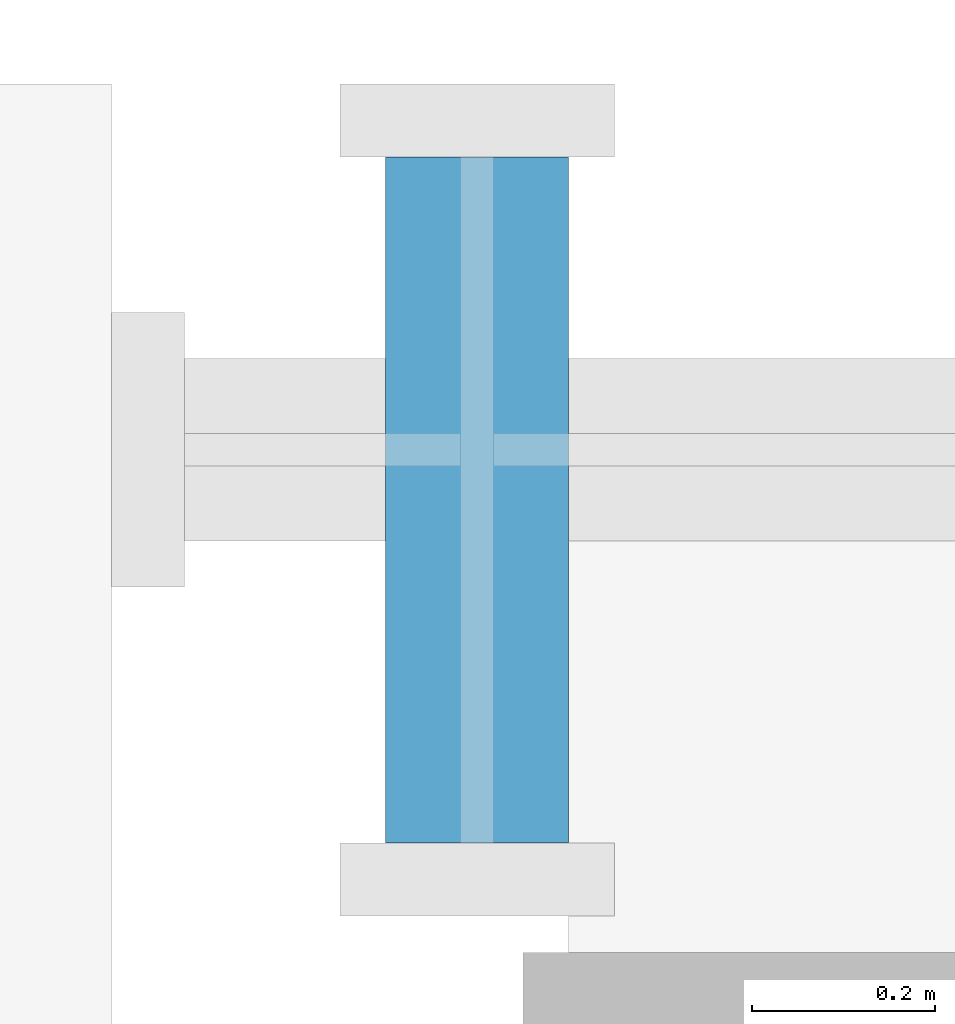
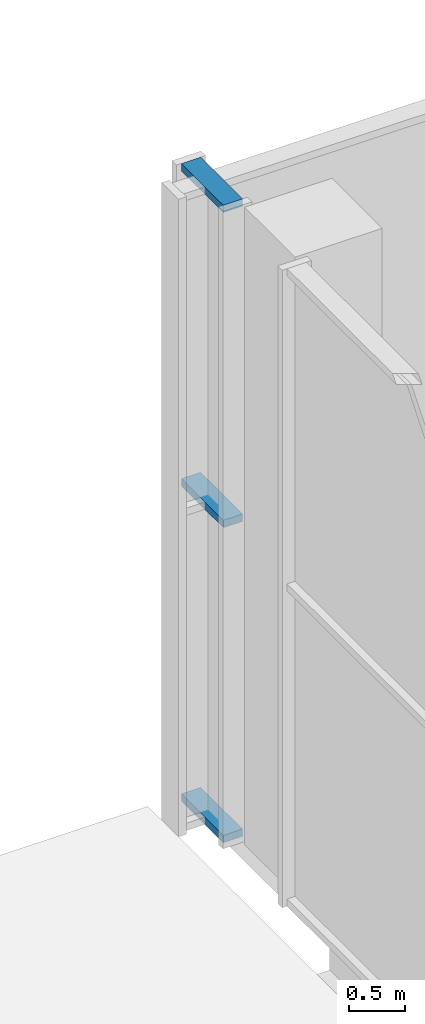
# One storey, part 11 of 36: 3 members, 1 element without a shape of its own.
"""IFC4 building model written with IfcOpenShell, lengths in metres."""

from ifc_helpers import new_model, si_unit, direction, frame, origin, origin_2d, place, context, subcontext, project, spatial, rectangle, extrude, material, material_profile, profile_set, type_object, element, aggregate, save


model = new_model("IFC4")

# Units and contexts
model_context = context("Model", 3, precision=1e-05, world=origin(), true_north=direction((0.0, 1.0)))
body_context = subcontext(model_context, "Body", "Model", "MODEL_VIEW")
ifc_project = project(units=[si_unit("LENGTHUNIT", "METRE"), si_unit("AREAUNIT", "SQUARE_METRE"), si_unit("VOLUMEUNIT", "CUBIC_METRE"), si_unit("PLANEANGLEUNIT", "RADIAN"), si_unit("MASSUNIT", "GRAM", prefix="KILO")], contexts=[model_context])

# Site, building, storey
site_placement = place(None, origin())
site = spatial("IfcSite", under=ifc_project, at=site_placement, CompositionType="ELEMENT")
building_placement = place(site_placement, origin())
building = spatial("IfcBuilding", under=site, at=building_placement, Name="Tessera Gate Towers", CompositionType="ELEMENT")
storey_placement = place(building_placement, origin())
storey = spatial("IfcBuildingStorey", under=building, at=storey_placement, Name="L00", CompositionType="ELEMENT", Elevation=0.0)

# Curtain wall, members
ifc_material_1 = material(Name="Aluminium frame", Category="aluminium")
curtain_wall_type = type_object("IfcCurtainWallType", Name="CW-S6 ground floor glazing", PredefinedType="NOTDEFINED", material=ifc_material_1)
curtain_wall_placement = place(storey_placement, origin())
curtain_wall = element("IfcCurtainWall", 1, at=curtain_wall_placement, inside=storey, type_object=curtain_wall_type, Name="Curtain wall ground floor glazing 0212", PredefinedType="NOTDEFINED")
ifc_material_2 = material(Name="Aluminium frame", Category="aluminium")
ifc_material_profile = material_profile(ifc_material_2, rectangle(XDim=0.199951171875, YDim=0.080078125, at=origin_2d()), Name="AL 80x200")
ifc_profile_set = profile_set([ifc_material_profile], Name="Aluminium frame")
member_type = type_object("IfcMemberType", Name="TR-S6 transom 80x200", PredefinedType="USERDEFINED", material=ifc_profile_set)
member_1_placement = place(storey_placement, frame((0.39990234375, 59.320068359375, 0.0400390625), z_axis=(0.0, -1.0, 0.0), x_axis=(1.0, 0.0, 0.0)))
member_1 = element("IfcMember", 2, at=member_1_placement, type_object=member_type, Name="PD-CW6-0212 transom 1.1", ObjectType="TRANSOM", PredefinedType="USERDEFINED", context=body_context, shape_type="SweptSolid", body=[
    extrude(rectangle(XDim=0.199951171875, YDim=0.080078125, at=origin_2d()), origin(), (0.0, 0.0, 1.0), 0.75),
])
member_2_placement = place(storey_placement, frame((0.39990234375, 59.320068359375, 3.47509765625), z_axis=(0.0, -1.0, 0.0), x_axis=(1.0, 0.0, 0.0)))
member_2 = element("IfcMember", 3, at=member_2_placement, type_object=member_type, Name="PD-CW6-0212 transom 1.2", ObjectType="TRANSOM", PredefinedType="USERDEFINED", context=body_context, shape_type="SweptSolid", body=[
    extrude(rectangle(XDim=0.199951171875, YDim=0.080078125, at=origin_2d()), origin(), (0.0, 0.0, 1.0), 0.75),
])
member_3_placement = place(storey_placement, frame((0.39990234375, 59.320068359375, 6.909912109375), z_axis=(0.0, -1.0, 0.0), x_axis=(1.0, 0.0, 0.0)))
member_3 = element("IfcMember", 4, at=member_3_placement, type_object=member_type, Name="PD-CW6-0212 transom 1.3", ObjectType="TRANSOM", PredefinedType="USERDEFINED", context=body_context, shape_type="SweptSolid", body=[
    extrude(rectangle(XDim=0.199951171875, YDim=0.080078125, at=origin_2d()), origin(), (0.0, 0.0, 1.0), 0.75),
])
aggregate(curtain_wall, [member_1, member_2, member_3])

save(model, "model.ifc")
